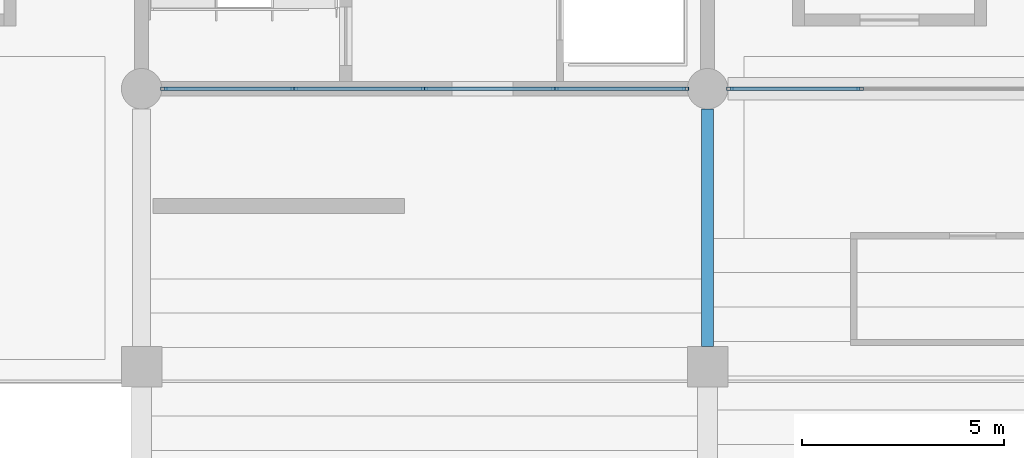
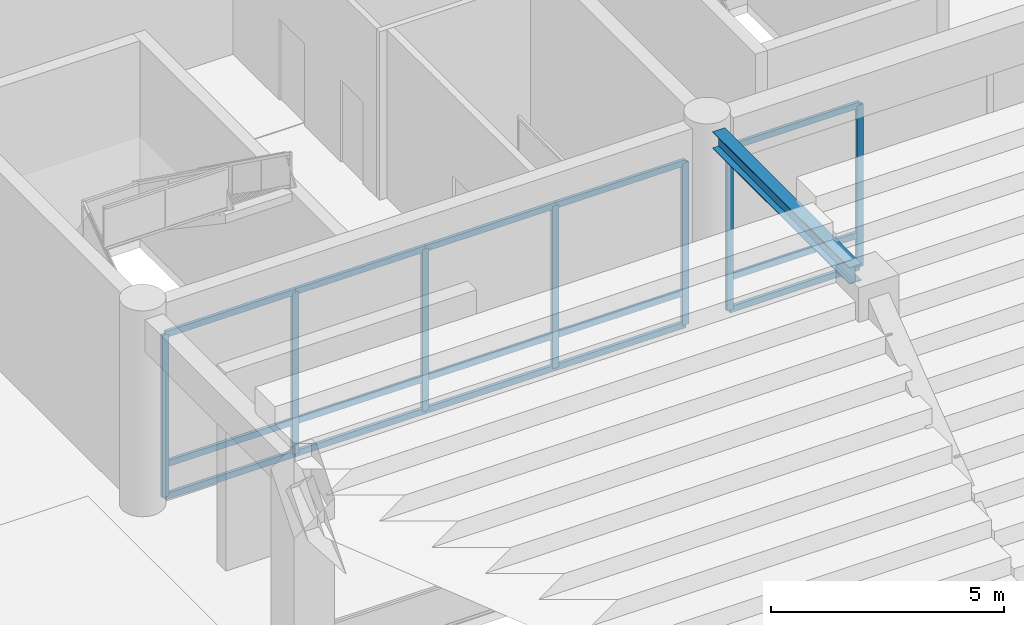
# One storey, part 64 of 117: 22 members, 1 beam, 2 elements without a shape of their own.
"""IFC4 building model written with IfcOpenShell, lengths in metres."""

import ifcopenshell
import ifcopenshell.guid

model = None  # the IFC model being written
_history = None  # IfcOwnerHistory: only IFC2X3 demands one
_inside = {}  # id of a spatial element -> (the spatial element, [elements in it])
_under = {}  # id of a project, library or spatial element -> (it, [spatial elements below it])
_declared = {}  # id of a project -> (the project, [libraries it declares])
_typed = {}  # id of a type object -> (the type object, [elements of that type])
_made_of = {}  # id of a material, layer set ... -> (it, [elements and type objects made of it])


def new_model(schema):
    """Start an empty IFC model of exactly this schema.

    Asked for "IFC4X3", IfcOpenShell would pick the latest addendum, in which some entities
    have other attributes; the version numbers below select the first issue.
    IFC2X3 requires an IfcOwnerHistory on every rooted entity: one is made here for all.
    """
    global model, _history
    if schema == "IFC4X3":
        model = ifcopenshell.file(schema_version=(4, 3, 0, 0))
    else:
        model = ifcopenshell.file(schema=schema)
    _inside.clear()
    _under.clear()
    _declared.clear()
    _typed.clear()
    _made_of.clear()
    _history = None
    if model.schema == "IFC2X3":
        org = make("IfcOrganization", Name="unknown")
        user = make(
            "IfcPersonAndOrganization",
            ThePerson=make("IfcPerson", FamilyName="unknown"),
            TheOrganization=org,
        )
        app = make(
            "IfcApplication",
            ApplicationDeveloper=org,
            Version="unknown",
            ApplicationFullName="unknown",
            ApplicationIdentifier="unknown",
        )
        _history = make(
            "IfcOwnerHistory",
            OwningUser=user,
            OwningApplication=app,
            ChangeAction="ADDED",
            CreationDate=0,
        )
    return model


def make(cls, **values):
    """One entity of the class cls with the attributes given. An attribute that is None is left unset."""
    return model.create_entity(
        cls, **{name: value for name, value in values.items() if value is not None}
    )


def rooted(cls, **values):
    """An entity with a GlobalId (a new one), such as an element, a storey or a relation."""
    return make(cls, GlobalId=ifcopenshell.guid.new(), OwnerHistory=_history, **values)


def si_unit(unit_type, name, prefix=None):
    """IfcSIUnit, for example si_unit("LENGTHUNIT", "METRE", prefix="MILLI")."""
    return make("IfcSIUnit", UnitType=unit_type, Prefix=prefix, Name=name)


def assignment(units):
    """IfcUnitAssignment: the units of a project."""
    return None if units is None else make("IfcUnitAssignment", Units=units)


def point(xyz):
    """IfcCartesianPoint."""
    return None if xyz is None else make("IfcCartesianPoint", Coordinates=xyz)


def direction(xyz):
    """IfcDirection."""
    return None if xyz is None else make("IfcDirection", DirectionRatios=xyz)


def frame(location, z_axis=None, x_axis=None):
    """IfcAxis2Placement3D, a coordinate frame: its origin and axes. An axis left out is left unset."""
    return make(
        "IfcAxis2Placement3D",
        Location=point(location),
        Axis=direction(z_axis),
        RefDirection=direction(x_axis),
    )


def frame_2d(location, x_axis=None):
    """IfcAxis2Placement2D, a coordinate frame in the plane: its origin and x axis."""
    return make(
        "IfcAxis2Placement2D", Location=point(location), RefDirection=direction(x_axis)
    )


def origin():
    """The frame at (0, 0, 0) with its axes left unset."""
    return frame((0.0, 0.0, 0.0))


def origin_2d():
    """The frame at (0, 0) in the plane with its x axis left unset."""
    return frame_2d((0.0, 0.0))


def place(relative_to, where):
    """IfcLocalPlacement: puts the frame where relative to a parent placement (None: the world)."""
    return make(
        "IfcLocalPlacement", PlacementRelTo=relative_to, RelativePlacement=where
    )


def context(
    kind, dimensions, precision=None, world=None, true_north=None, identifier=None
):
    """IfcGeometricRepresentationContext, for example the 3D "Model" context."""
    return make(
        "IfcGeometricRepresentationContext",
        ContextIdentifier=identifier,
        ContextType=kind,
        CoordinateSpaceDimension=dimensions,
        Precision=precision,
        WorldCoordinateSystem=world,
        TrueNorth=true_north,
    )


def subcontext(parent, identifier, kind, view, scale=None):
    """IfcGeometricRepresentationSubContext, for example "Body" below "Model"."""
    return make(
        "IfcGeometricRepresentationSubContext",
        ContextIdentifier=identifier,
        ContextType=kind,
        ParentContext=parent,
        TargetScale=scale,
        TargetView=view,
    )


def project(units=None, contexts=None):
    """IfcProject with its units and contexts."""
    return rooted(
        "IfcProject",
        Name="project",
        RepresentationContexts=contexts,
        UnitsInContext=assignment(units),
    )


def spatial(cls, under=None, at=None, **own):
    """A site, building, storey or space (cls), placed at a placement, below another one or the project."""
    s = rooted(cls, ObjectPlacement=at, **own)
    if under is not None:
        _under.setdefault(under.id(), (under, []))[1].append(s)
    return s


def profile(cls, at=None, kind="AREA", **sizes):
    """A parametric profile (cls). Its sizes go by their IFC names, for example OverallWidth=200.0."""
    return make(cls, ProfileType=kind, Position=at, **sizes)


def hollow_rectangle(**sizes):
    """IfcRectangleHollowProfileDef."""
    return profile("IfcRectangleHollowProfileDef", **sizes)


def i_section(**sizes):
    """IfcIShapeProfileDef."""
    return profile("IfcIShapeProfileDef", **sizes)


def extrude(swept, where, along, depth):
    """IfcExtrudedAreaSolid: the profile swept, set in the frame where, extruded along a direction by depth."""
    return make(
        "IfcExtrudedAreaSolid",
        SweptArea=swept,
        Position=where,
        ExtrudedDirection=direction(along),
        Depth=depth,
    )


def shape(context_of_items, identifier, shape_type, items):
    """IfcShapeRepresentation: the items that make up one representation, for example the "Body"."""
    return make(
        "IfcShapeRepresentation",
        ContextOfItems=context_of_items,
        RepresentationIdentifier=identifier,
        RepresentationType=shape_type,
        Items=items,
    )


def material(Name=None, Category=None):
    """IfcMaterial."""
    return make("IfcMaterial", Name=Name, Category=Category)


def material_profile(
    of_material, cross_section, Name=None, Category=None, Priority=None
):
    """IfcMaterialProfile: a cross section and its material."""
    return make(
        "IfcMaterialProfile",
        Name=Name,
        Material=of_material,
        Profile=cross_section,
        Priority=Priority,
        Category=Category,
    )


def profile_set(profiles, Name=None, composite=None):
    """IfcMaterialProfileSet."""
    return make(
        "IfcMaterialProfileSet",
        Name=Name,
        MaterialProfiles=profiles,
        CompositeProfile=composite,
    )


def made_of(thing, what):
    """Note that an element or type object is made of a material, layer set ...; save() writes the relation."""
    if what is not None:
        _made_of.setdefault(what.id(), (what, []))[1].append(thing)
    return thing


def type_object(cls, material=None, **own):
    """A type object (cls), such as IfcWallType, which elements share."""
    return made_of(rooted(cls, **own), material)


def element(
    cls,
    number,
    at=None,
    inside=None,
    cuts=None,
    type_object=None,
    material=None,
    context=None,
    identifier="Body",
    shape_type=None,
    held_by="IfcProductDefinitionShape",
    body=None,
    shapes=None,
    **own,
):
    """One element of the class cls, such as IfcWall. Its Tag is "e" and its number.

    at: its placement. inside: the storey or other place that contains it. cuts: it is an
    opening in that element (IfcRelVoidsElement). A single representation is given by context,
    identifier, shape_type and body (its items); several are given by shapes. held_by: the class
    of the entity that holds the representations. save() writes the other relations.
    """
    e = rooted(cls, Tag="e%d" % number, ObjectPlacement=at, **own)
    if body is not None:
        shapes = [shape(context, identifier, shape_type, body)]
    if shapes is not None:
        e.Representation = make(held_by, Representations=shapes)
    if inside is not None:
        _inside.setdefault(inside.id(), (inside, []))[1].append(e)
    if cuts is not None:
        rooted(
            "IfcRelVoidsElement", RelatingBuildingElement=cuts, RelatedOpeningElement=e
        )
    if type_object is not None:
        _typed.setdefault(type_object.id(), (type_object, []))[1].append(e)
    return made_of(e, material)


def aggregate(whole, parts):
    """IfcRelAggregates: a whole, such as a stair, and the parts it consists of."""
    return rooted("IfcRelAggregates", RelatingObject=whole, RelatedObjects=parts)


def save(model, path):
    """Write the relations noted so far, then the file.

    IfcRelAggregates (storeys below a building ...), IfcRelContainedInSpatialStructure (elements
    in a storey), IfcRelDefinesByType, IfcRelAssociatesMaterial and IfcRelDeclares: one each for
    every whole, place, type object, material and project.
    """
    for whole, parts in _under.values():
        aggregate(whole, parts)
    for where, things in _inside.values():
        rooted(
            "IfcRelContainedInSpatialStructure",
            RelatedElements=things,
            RelatingStructure=where,
        )
    for kind, things in _typed.values():
        rooted("IfcRelDefinesByType", RelatedObjects=things, RelatingType=kind)
    for what, things in _made_of.values():
        rooted("IfcRelAssociatesMaterial", RelatedObjects=things, RelatingMaterial=what)
    for by, libraries in _declared.values():
        rooted("IfcRelDeclares", RelatingContext=by, RelatedDefinitions=libraries)
    model.write(path)


model = new_model("IFC4")

# Units and contexts
model_context = context("Model", 3, precision=1e-05, world=origin(), true_north=direction((0.0, 1.0)))
body_context = subcontext(model_context, "Body", "Model", "MODEL_VIEW")
ifc_project = project(units=[si_unit("LENGTHUNIT", "METRE"), si_unit("AREAUNIT", "SQUARE_METRE"), si_unit("VOLUMEUNIT", "CUBIC_METRE"), si_unit("PLANEANGLEUNIT", "RADIAN"), si_unit("MASSUNIT", "GRAM", prefix="KILO")], contexts=[model_context])

# Site, building, storey
site_placement = place(None, origin())
site = spatial("IfcSite", under=ifc_project, at=site_placement, CompositionType="ELEMENT")
building_placement = place(site_placement, origin())
building = spatial("IfcBuilding", under=site, at=building_placement, Name="Linyun Crest Stadium", CompositionType="ELEMENT")
storey_placement = place(building_placement, frame((0.0, 0.0, 6.0)))
storey = spatial("IfcBuildingStorey", under=building, at=storey_placement, Name="L02", CompositionType="ELEMENT", Elevation=6.0)

# Beam
ifc_material_1 = material(Name="Steel Q355C", Category="steel")
ifc_material_profile_1 = material_profile(ifc_material_1, i_section(OverallWidth=0.300048828125, OverallDepth=0.43994140625, WebThickness=0.010986328125, FlangeThickness=0.01806640625, at=origin_2d()), Name="HM 440x300")
ifc_profile_set_1 = profile_set([ifc_material_profile_1], Name="Steel Q355C")
beam_type = type_object("IfcBeamType", Name="B07", PredefinedType="BEAM", material=ifc_profile_set_1)
beam_placement = place(storey_placement, frame((-14.0, 85.125, 4.97998046875), z_axis=(0.0, 1.0, 0.0), x_axis=(-1.0, 0.0, 0.0)))
element("IfcBeam", 1, at=beam_placement, inside=storey, type_object=beam_type, Name="Frame beam B07 L02 795", PredefinedType="BEAM", context=body_context, shape_type="SweptSolid", body=[
    extrude(i_section(OverallWidth=0.300048828125, OverallDepth=0.43994140625, WebThickness=0.010986328125, FlangeThickness=0.01806640625, at=origin_2d()), origin(), (0.0, 0.0, 1.0), 5.875),
])

# Curtain wall, members
ifc_material_2 = material(Name="Verdigris steel and low-E curtain wall assembly", Category="steel")
curtain_wall_type = type_object("IfcCurtainWallType", Name="MCW03", PredefinedType="NOTDEFINED", material=ifc_material_2)
curtain_wall_1_placement = place(storey_placement, origin())
curtain_wall_1 = element("IfcCurtainWall", 2, at=curtain_wall_1_placement, inside=storey, type_object=curtain_wall_type, Name="CWR-127", PredefinedType="NOTDEFINED")
ifc_material_3 = material(Name="Aluminium thermally broken mullion", Category="aluminium")
ifc_material_profile_2 = material_profile(ifc_material_3, hollow_rectangle(XDim=0.080078125, YDim=0.159912109375, WallThickness=0.006103515625, at=origin_2d()), Name="RHS 160x80x6")
ifc_profile_set_2 = profile_set([ifc_material_profile_2], Name="Aluminium thermally broken mullion")
member_type_1 = type_object("IfcMemberType", Name="ML01", PredefinedType="MULLION", material=ifc_profile_set_2)
member_1_placement = place(storey_placement, frame((-27.449951171875, 91.5, 0.0), z_axis=(0.0, 0.0, 1.0), x_axis=(0.0, 1.0, 0.0)))
member_1 = element("IfcMember", 3, at=member_1_placement, type_object=member_type_1, Name="CWR-127 mullion 1", PredefinedType="MULLION", context=body_context, shape_type="SweptSolid", body=[
    extrude(hollow_rectangle(XDim=0.080078125, YDim=0.159912109375, WallThickness=0.006103515625, at=origin_2d()), origin(), (0.0, 0.0, 1.0), 4.25),
])
member_2_placement = place(storey_placement, frame((-24.22509765625, 91.5, 0.0), z_axis=(0.0, 0.0, 1.0), x_axis=(0.0, 1.0, 0.0)))
member_2 = element("IfcMember", 4, at=member_2_placement, type_object=member_type_1, Name="CWR-127 mullion 2", PredefinedType="MULLION", context=body_context, shape_type="SweptSolid", body=[
    extrude(hollow_rectangle(XDim=0.080078125, YDim=0.159912109375, WallThickness=0.006103515625, at=origin_2d()), origin(), (0.0, 0.0, 1.0), 4.25),
])
member_3_placement = place(storey_placement, frame((-21.0, 91.5, 0.0), z_axis=(0.0, 0.0, 1.0), x_axis=(0.0, 1.0, 0.0)))
member_3 = element("IfcMember", 5, at=member_3_placement, type_object=member_type_1, Name="CWR-127 mullion 3", PredefinedType="MULLION", context=body_context, shape_type="SweptSolid", body=[
    extrude(hollow_rectangle(XDim=0.080078125, YDim=0.159912109375, WallThickness=0.006103515625, at=origin_2d()), origin(), (0.0, 0.0, 1.0), 4.25),
])
member_4_placement = place(storey_placement, frame((-17.77490234375, 91.5, 0.0), z_axis=(0.0, 0.0, 1.0), x_axis=(0.0, 1.0, 0.0)))
member_4 = element("IfcMember", 6, at=member_4_placement, type_object=member_type_1, Name="CWR-127 mullion 4", PredefinedType="MULLION", context=body_context, shape_type="SweptSolid", body=[
    extrude(hollow_rectangle(XDim=0.080078125, YDim=0.159912109375, WallThickness=0.006103515625, at=origin_2d()), origin(), (0.0, 0.0, 1.0), 4.25),
])
member_5_placement = place(storey_placement, frame((-14.550048828125, 91.5, 0.0), z_axis=(0.0, 0.0, 1.0), x_axis=(0.0, 1.0, 0.0)))
member_5 = element("IfcMember", 7, at=member_5_placement, type_object=member_type_1, Name="CWR-127 mullion 5", PredefinedType="MULLION", context=body_context, shape_type="SweptSolid", body=[
    extrude(hollow_rectangle(XDim=0.080078125, YDim=0.159912109375, WallThickness=0.006103515625, at=origin_2d()), origin(), (0.0, 0.0, 1.0), 4.25),
])

curtain_wall_2_placement = place(storey_placement, origin())
curtain_wall_2 = element("IfcCurtainWall", 8, at=curtain_wall_2_placement, inside=storey, type_object=curtain_wall_type, Name="CWR-134", PredefinedType="NOTDEFINED")
member_6_placement = place(storey_placement, frame((-13.449951171875, 91.5, 0.0), z_axis=(0.0, 0.0, 1.0), x_axis=(0.0, 1.0, 0.0)))
member_6 = element("IfcMember", 9, at=member_6_placement, type_object=member_type_1, Name="CWR-134 mullion 1", PredefinedType="MULLION", context=body_context, shape_type="SweptSolid", body=[
    extrude(hollow_rectangle(XDim=0.080078125, YDim=0.159912109375, WallThickness=0.006103515625, at=origin_2d()), origin(), (0.0, 0.0, 1.0), 4.25),
])
member_7_placement = place(storey_placement, frame((-10.22509765625, 91.5, 0.0), z_axis=(0.0, 0.0, 1.0), x_axis=(0.0, 1.0, 0.0)))
member_7 = element("IfcMember", 10, at=member_7_placement, type_object=member_type_1, Name="CWR-134 mullion 2", PredefinedType="MULLION", context=body_context, shape_type="SweptSolid", body=[
    extrude(hollow_rectangle(XDim=0.080078125, YDim=0.159912109375, WallThickness=0.006103515625, at=origin_2d()), origin(), (0.0, 0.0, 1.0), 4.25),
])

# Member
ifc_material_4 = material(Name="Aluminium thermally broken transom", Category="aluminium")
ifc_material_profile_3 = material_profile(ifc_material_4, hollow_rectangle(XDim=0.080078125, YDim=0.159912109375, WallThickness=0.006103515625, at=origin_2d()), Name="RHS 160x80x6")
ifc_profile_set_3 = profile_set([ifc_material_profile_3], Name="Aluminium thermally broken transom")
member_type_2 = type_object("IfcMemberType", Name="TR01", PredefinedType="USERDEFINED", material=ifc_profile_set_3)
member_8_placement = place(storey_placement, frame((-27.449951171875, 91.5, 0.0), z_axis=(1.0, 0.0, 0.0), x_axis=(0.0, 1.0, 0.0)))
member_8 = element("IfcMember", 11, at=member_8_placement, type_object=member_type_2, Name="CWR-127 transom 1.1", ObjectType="TRANSOM", PredefinedType="USERDEFINED", context=body_context, shape_type="SweptSolid", body=[
    extrude(hollow_rectangle(XDim=0.080078125, YDim=0.159912109375, WallThickness=0.006103515625, at=origin_2d()), origin(), (0.0, 0.0, 1.0), 3.224853515625),
])

member_9_placement = place(storey_placement, frame((-27.449951171875, 91.5, 0.85009765625), z_axis=(1.0, 0.0, 0.0), x_axis=(0.0, 1.0, 0.0)))
member_9 = element("IfcMember", 12, at=member_9_placement, type_object=member_type_2, Name="CWR-127 transom 1.2", ObjectType="TRANSOM", PredefinedType="USERDEFINED", context=body_context, shape_type="SweptSolid", body=[
    extrude(hollow_rectangle(XDim=0.080078125, YDim=0.159912109375, WallThickness=0.006103515625, at=origin_2d()), origin(), (0.0, 0.0, 1.0), 3.224853515625),
])

member_10_placement = place(storey_placement, frame((-27.449951171875, 91.5, 4.25), z_axis=(1.0, 0.0, 0.0), x_axis=(0.0, 1.0, 0.0)))
member_10 = element("IfcMember", 13, at=member_10_placement, type_object=member_type_2, Name="CWR-127 transom 1.3", ObjectType="TRANSOM", PredefinedType="USERDEFINED", context=body_context, shape_type="SweptSolid", body=[
    extrude(hollow_rectangle(XDim=0.080078125, YDim=0.159912109375, WallThickness=0.006103515625, at=origin_2d()), origin(), (0.0, 0.0, 1.0), 3.224853515625),
])

member_11_placement = place(storey_placement, frame((-24.22509765625, 91.5, 0.0), z_axis=(1.0, 0.0, 0.0), x_axis=(0.0, 1.0, 0.0)))
member_11 = element("IfcMember", 14, at=member_11_placement, type_object=member_type_2, Name="CWR-127 transom 2.1", ObjectType="TRANSOM", PredefinedType="USERDEFINED", context=body_context, shape_type="SweptSolid", body=[
    extrude(hollow_rectangle(XDim=0.080078125, YDim=0.159912109375, WallThickness=0.006103515625, at=origin_2d()), origin(), (0.0, 0.0, 1.0), 3.22509765625),
])

member_12_placement = place(storey_placement, frame((-24.22509765625, 91.5, 0.85009765625), z_axis=(1.0, 0.0, 0.0), x_axis=(0.0, 1.0, 0.0)))
member_12 = element("IfcMember", 15, at=member_12_placement, type_object=member_type_2, Name="CWR-127 transom 2.2", ObjectType="TRANSOM", PredefinedType="USERDEFINED", context=body_context, shape_type="SweptSolid", body=[
    extrude(hollow_rectangle(XDim=0.080078125, YDim=0.159912109375, WallThickness=0.006103515625, at=origin_2d()), origin(), (0.0, 0.0, 1.0), 3.22509765625),
])

member_13_placement = place(storey_placement, frame((-24.22509765625, 91.5, 4.25), z_axis=(1.0, 0.0, 0.0), x_axis=(0.0, 1.0, 0.0)))
member_13 = element("IfcMember", 16, at=member_13_placement, type_object=member_type_2, Name="CWR-127 transom 2.3", ObjectType="TRANSOM", PredefinedType="USERDEFINED", context=body_context, shape_type="SweptSolid", body=[
    extrude(hollow_rectangle(XDim=0.080078125, YDim=0.159912109375, WallThickness=0.006103515625, at=origin_2d()), origin(), (0.0, 0.0, 1.0), 3.22509765625),
])

member_14_placement = place(storey_placement, frame((-21.0, 91.5, 0.0), z_axis=(1.0, 0.0, 0.0), x_axis=(0.0, 1.0, 0.0)))
member_14 = element("IfcMember", 17, at=member_14_placement, type_object=member_type_2, Name="CWR-127 transom 3.1", ObjectType="TRANSOM", PredefinedType="USERDEFINED", context=body_context, shape_type="SweptSolid", body=[
    extrude(hollow_rectangle(XDim=0.080078125, YDim=0.159912109375, WallThickness=0.006103515625, at=origin_2d()), origin(), (0.0, 0.0, 1.0), 3.22509765625),
])

member_15_placement = place(storey_placement, frame((-21.0, 91.5, 0.85009765625), z_axis=(1.0, 0.0, 0.0), x_axis=(0.0, 1.0, 0.0)))
member_15 = element("IfcMember", 18, at=member_15_placement, type_object=member_type_2, Name="CWR-127 transom 3.2", ObjectType="TRANSOM", PredefinedType="USERDEFINED", context=body_context, shape_type="SweptSolid", body=[
    extrude(hollow_rectangle(XDim=0.080078125, YDim=0.159912109375, WallThickness=0.006103515625, at=origin_2d()), origin(), (0.0, 0.0, 1.0), 3.22509765625),
])

member_16_placement = place(storey_placement, frame((-21.0, 91.5, 4.25), z_axis=(1.0, 0.0, 0.0), x_axis=(0.0, 1.0, 0.0)))
member_16 = element("IfcMember", 19, at=member_16_placement, type_object=member_type_2, Name="CWR-127 transom 3.3", ObjectType="TRANSOM", PredefinedType="USERDEFINED", context=body_context, shape_type="SweptSolid", body=[
    extrude(hollow_rectangle(XDim=0.080078125, YDim=0.159912109375, WallThickness=0.006103515625, at=origin_2d()), origin(), (0.0, 0.0, 1.0), 3.22509765625),
])

member_17_placement = place(storey_placement, frame((-17.77490234375, 91.5, 0.0), z_axis=(1.0, 0.0, 0.0), x_axis=(0.0, 1.0, 0.0)))
member_17 = element("IfcMember", 20, at=member_17_placement, type_object=member_type_2, Name="CWR-127 transom 4.1", ObjectType="TRANSOM", PredefinedType="USERDEFINED", context=body_context, shape_type="SweptSolid", body=[
    extrude(hollow_rectangle(XDim=0.080078125, YDim=0.159912109375, WallThickness=0.006103515625, at=origin_2d()), origin(), (0.0, 0.0, 1.0), 3.224853515625),
])

member_18_placement = place(storey_placement, frame((-17.77490234375, 91.5, 0.85009765625), z_axis=(1.0, 0.0, 0.0), x_axis=(0.0, 1.0, 0.0)))
member_18 = element("IfcMember", 21, at=member_18_placement, type_object=member_type_2, Name="CWR-127 transom 4.2", ObjectType="TRANSOM", PredefinedType="USERDEFINED", context=body_context, shape_type="SweptSolid", body=[
    extrude(hollow_rectangle(XDim=0.080078125, YDim=0.159912109375, WallThickness=0.006103515625, at=origin_2d()), origin(), (0.0, 0.0, 1.0), 3.224853515625),
])

member_19_placement = place(storey_placement, frame((-17.77490234375, 91.5, 4.25), z_axis=(1.0, 0.0, 0.0), x_axis=(0.0, 1.0, 0.0)))
member_19 = element("IfcMember", 22, at=member_19_placement, type_object=member_type_2, Name="CWR-127 transom 4.3", ObjectType="TRANSOM", PredefinedType="USERDEFINED", context=body_context, shape_type="SweptSolid", body=[
    extrude(hollow_rectangle(XDim=0.080078125, YDim=0.159912109375, WallThickness=0.006103515625, at=origin_2d()), origin(), (0.0, 0.0, 1.0), 3.224853515625),
])

aggregate(curtain_wall_1, [member_1, member_2, member_3, member_4, member_5, member_8, member_9, member_10, member_11, member_12, member_13, member_14, member_15, member_16, member_17, member_18, member_19])

member_20_placement = place(storey_placement, frame((-13.449951171875, 91.5, 0.0), z_axis=(1.0, 0.0, 0.0), x_axis=(0.0, 1.0, 0.0)))
member_20 = element("IfcMember", 23, at=member_20_placement, type_object=member_type_2, Name="CWR-134 transom 1.1", ObjectType="TRANSOM", PredefinedType="USERDEFINED", context=body_context, shape_type="SweptSolid", body=[
    extrude(hollow_rectangle(XDim=0.080078125, YDim=0.159912109375, WallThickness=0.006103515625, at=origin_2d()), origin(), (0.0, 0.0, 1.0), 3.224853515625),
])

member_21_placement = place(storey_placement, frame((-13.449951171875, 91.5, 0.85009765625), z_axis=(1.0, 0.0, 0.0), x_axis=(0.0, 1.0, 0.0)))
member_21 = element("IfcMember", 24, at=member_21_placement, type_object=member_type_2, Name="CWR-134 transom 1.2", ObjectType="TRANSOM", PredefinedType="USERDEFINED", context=body_context, shape_type="SweptSolid", body=[
    extrude(hollow_rectangle(XDim=0.080078125, YDim=0.159912109375, WallThickness=0.006103515625, at=origin_2d()), origin(), (0.0, 0.0, 1.0), 3.224853515625),
])

member_22_placement = place(storey_placement, frame((-13.449951171875, 91.5, 4.25), z_axis=(1.0, 0.0, 0.0), x_axis=(0.0, 1.0, 0.0)))
member_22 = element("IfcMember", 25, at=member_22_placement, type_object=member_type_2, Name="CWR-134 transom 1.3", ObjectType="TRANSOM", PredefinedType="USERDEFINED", context=body_context, shape_type="SweptSolid", body=[
    extrude(hollow_rectangle(XDim=0.080078125, YDim=0.159912109375, WallThickness=0.006103515625, at=origin_2d()), origin(), (0.0, 0.0, 1.0), 3.224853515625),
])

aggregate(curtain_wall_2, [member_6, member_7, member_20, member_21, member_22])

save(model, "model.ifc")
